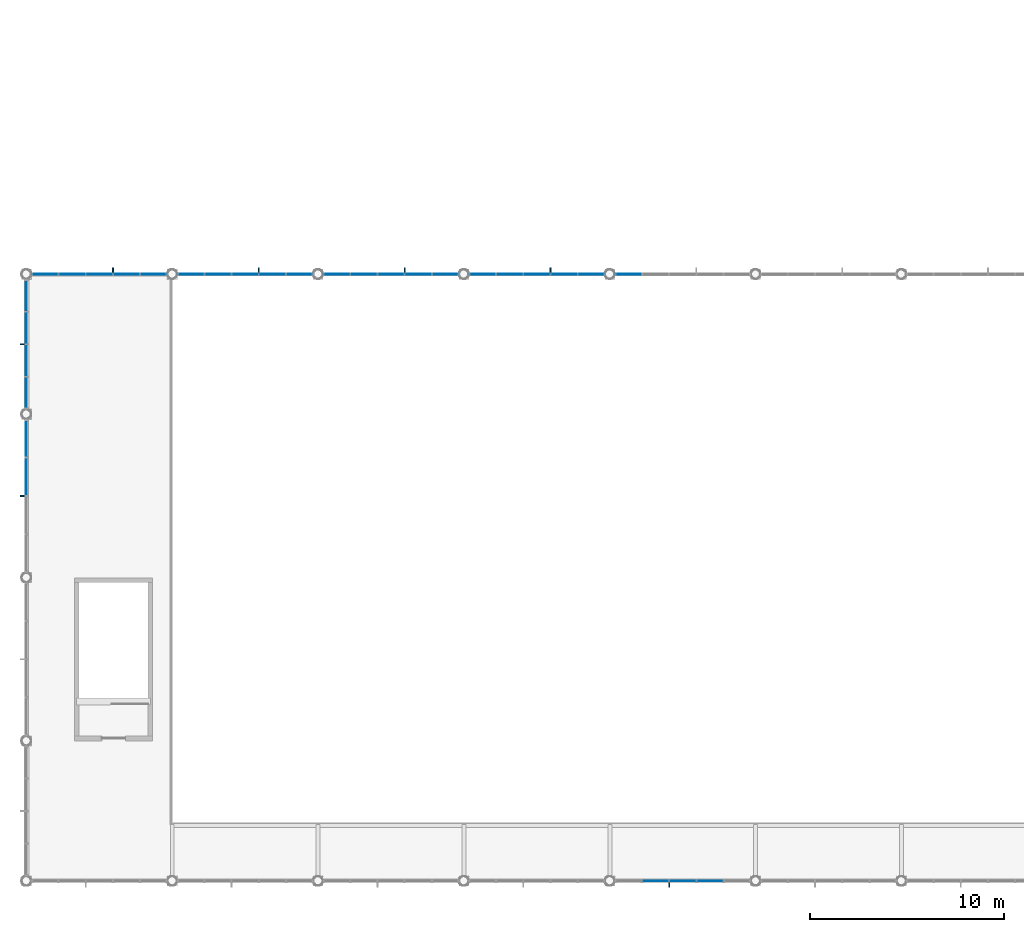
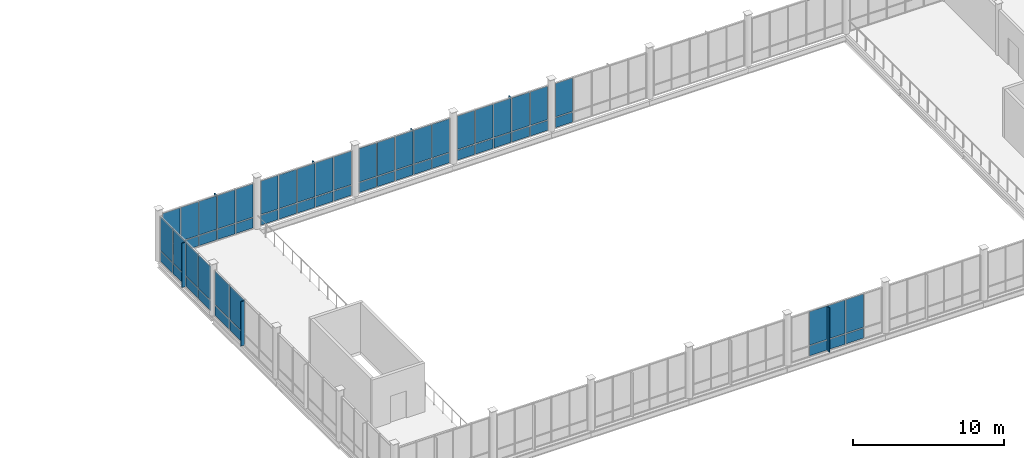
# One storey, part 41 of 75: 67 plates, 8 elements without a shape of their own.
"""IFC4 building model written with IfcOpenShell, lengths in metres."""

from ifc_helpers import new_model, si_unit, direction, frame, origin, origin_2d, place, context, subcontext, project, spatial, rectangle, extrude, material, layer, layer_set, type_object, element, aggregate, save


model = new_model("IFC4")

# Units and contexts
model_context = context("Model", 3, precision=1e-05, world=origin(), true_north=direction((0.0, 1.0)))
body_context = subcontext(model_context, "Body", "Model", "MODEL_VIEW")
ifc_project = project(units=[si_unit("LENGTHUNIT", "METRE"), si_unit("AREAUNIT", "SQUARE_METRE"), si_unit("VOLUMEUNIT", "CUBIC_METRE"), si_unit("PLANEANGLEUNIT", "RADIAN"), si_unit("MASSUNIT", "GRAM", prefix="KILO")], contexts=[model_context])

# Site, building, storey
site_placement = place(None, origin())
site = spatial("IfcSite", under=ifc_project, at=site_placement, CompositionType="ELEMENT")
building_placement = place(site_placement, origin())
building = spatial("IfcBuilding", under=site, at=building_placement, Name="Yukiwa Park Conservatory and Herbarium", CompositionType="ELEMENT")
storey_placement = place(building_placement, frame((0.0, 0.0, 4.800048828125)))
storey = spatial("IfcBuildingStorey", under=building, at=storey_placement, Name="L01", CompositionType="ELEMENT", Elevation=4.800048828125)

# Curtain wall, plates
ifc_material_1 = material(Name="Triple Low-E Insulated Glass", Category="glass")
ifc_layer_1 = layer(ifc_material_1, 0.152099609375)
ifc_layer_set_1 = layer_set([ifc_layer_1], Name="Triple Low-E Insulated Glass")
curtain_wall_type_1 = type_object("IfcCurtainWallType", Name="CW-CONSERVATORY-1500", PredefinedType="NOTDEFINED", material=ifc_layer_set_1)
curtain_wall_1_placement = place(storey_placement, origin())
curtain_wall_1 = element("IfcCurtainWall", 1, at=curtain_wall_1_placement, inside=storey, type_object=curtain_wall_type_1, Name="L01 unitised curtain wall CW-L01-030", PredefinedType="NOTDEFINED")
ifc_material_2 = material(Name="Triple Low-E Insulated Glass", Category="glass")
ifc_layer_2 = layer(ifc_material_2, 0.035888671875)
ifc_layer_set_2 = layer_set([ifc_layer_2], Name="Triple Low-E Insulated Glass")
plate_type_1 = type_object("IfcPlateType", Name="PL-CW-GLZ-36", PredefinedType="CURTAIN_PANEL", material=ifc_layer_set_2)
plate_1_placement = place(storey_placement, frame((32.3515625, 0.0, 0.93505859375), z_axis=(0.0, 0.0, 1.0), x_axis=(1.0, 0.0, 0.0)))
plate_1 = element("IfcPlate", 2, at=plate_1_placement, type_object=plate_type_1, Name="CW-L01-030 vision panel 2.2", PredefinedType="CURTAIN_PANEL", context=body_context, shape_type="SweptSolid", body=[
    extrude(rectangle(XDim=1.328369140625, YDim=0.035888671875, at=origin_2d()), origin(), (0.0, 0.0, 1.0), 2.695068359375),
])
plate_2_placement = place(storey_placement, frame((33.75, 0.0, 0.93505859375), z_axis=(0.0, 0.0, 1.0), x_axis=(1.0, 0.0, 0.0)))
plate_2 = element("IfcPlate", 3, at=plate_2_placement, type_object=plate_type_1, Name="CW-L01-030 vision panel 3.2", PredefinedType="CURTAIN_PANEL", context=body_context, shape_type="SweptSolid", body=[
    extrude(rectangle(XDim=1.328369140625, YDim=0.035888671875, at=origin_2d()), origin(), (0.0, 0.0, 1.0), 2.695068359375),
])
plate_3_placement = place(storey_placement, frame((35.1484375, 0.0, 0.93505859375), z_axis=(0.0, 0.0, 1.0), x_axis=(1.0, 0.0, 0.0)))
plate_3 = element("IfcPlate", 4, at=plate_3_placement, type_object=plate_type_1, Name="CW-L01-030 vision panel 4.2", PredefinedType="CURTAIN_PANEL", context=body_context, shape_type="SweptSolid", body=[
    extrude(rectangle(XDim=1.328369140625, YDim=0.035888671875, at=origin_2d()), origin(), (0.0, 0.0, 1.0), 2.695068359375),
])

# Curtain wall, plate
curtain_wall_2_placement = place(storey_placement, origin())
curtain_wall_2 = element("IfcCurtainWall", 5, at=curtain_wall_2_placement, inside=storey, type_object=curtain_wall_type_1, Name="L01 unitised curtain wall CW-L01-053", PredefinedType="NOTDEFINED")
plate_4_placement = place(storey_placement, frame((30.953125, 31.199951171875, 0.93505859375), z_axis=(0.0, 0.0, 1.0), x_axis=(-1.0, 0.0, 0.0)))
plate_4 = element("IfcPlate", 6, at=plate_4_placement, type_object=plate_type_1, Name="CW-L01-053 vision panel 5.2", PredefinedType="CURTAIN_PANEL", context=body_context, shape_type="SweptSolid", body=[
    extrude(rectangle(XDim=1.328369140625, YDim=0.035888671875, at=origin_2d()), origin(), (0.0, 0.0, 1.0), 2.695068359375),
])

# Curtain wall, plates
curtain_wall_3_placement = place(storey_placement, origin())
curtain_wall_3 = element("IfcCurtainWall", 7, at=curtain_wall_3_placement, inside=storey, type_object=curtain_wall_type_1, Name="L01 unitised curtain wall CW-L01-054", PredefinedType="NOTDEFINED")
plate_5_placement = place(storey_placement, frame((29.046875, 31.199951171875, 0.93505859375), z_axis=(0.0, 0.0, 1.0), x_axis=(-1.0, 0.0, 0.0)))
plate_5 = element("IfcPlate", 8, at=plate_5_placement, type_object=plate_type_1, Name="CW-L01-054 vision panel 1.2", PredefinedType="CURTAIN_PANEL", context=body_context, shape_type="SweptSolid", body=[
    extrude(rectangle(XDim=1.328369140625, YDim=0.035888671875, at=origin_2d()), origin(), (0.0, 0.0, 1.0), 2.695068359375),
])
plate_6_placement = place(storey_placement, frame((27.6484375, 31.199951171875, 0.93505859375), z_axis=(0.0, 0.0, 1.0), x_axis=(-1.0, 0.0, 0.0)))
plate_6 = element("IfcPlate", 9, at=plate_6_placement, type_object=plate_type_1, Name="CW-L01-054 vision panel 2.2", PredefinedType="CURTAIN_PANEL", context=body_context, shape_type="SweptSolid", body=[
    extrude(rectangle(XDim=1.328369140625, YDim=0.035888671875, at=origin_2d()), origin(), (0.0, 0.0, 1.0), 2.695068359375),
])
plate_7_placement = place(storey_placement, frame((26.25, 31.199951171875, 0.93505859375), z_axis=(0.0, 0.0, 1.0), x_axis=(-1.0, 0.0, 0.0)))
plate_7 = element("IfcPlate", 10, at=plate_7_placement, type_object=plate_type_1, Name="CW-L01-054 vision panel 3.2", PredefinedType="CURTAIN_PANEL", context=body_context, shape_type="SweptSolid", body=[
    extrude(rectangle(XDim=1.328369140625, YDim=0.035888671875, at=origin_2d()), origin(), (0.0, 0.0, 1.0), 2.695068359375),
])
plate_8_placement = place(storey_placement, frame((24.8515625, 31.199951171875, 0.93505859375), z_axis=(0.0, 0.0, 1.0), x_axis=(-1.0, 0.0, 0.0)))
plate_8 = element("IfcPlate", 11, at=plate_8_placement, type_object=plate_type_1, Name="CW-L01-054 vision panel 4.2", PredefinedType="CURTAIN_PANEL", context=body_context, shape_type="SweptSolid", body=[
    extrude(rectangle(XDim=1.328369140625, YDim=0.035888671875, at=origin_2d()), origin(), (0.0, 0.0, 1.0), 2.695068359375),
])
plate_9_placement = place(storey_placement, frame((23.453125, 31.199951171875, 0.93505859375), z_axis=(0.0, 0.0, 1.0), x_axis=(-1.0, 0.0, 0.0)))
plate_9 = element("IfcPlate", 12, at=plate_9_placement, type_object=plate_type_1, Name="CW-L01-054 vision panel 5.2", PredefinedType="CURTAIN_PANEL", context=body_context, shape_type="SweptSolid", body=[
    extrude(rectangle(XDim=1.328369140625, YDim=0.035888671875, at=origin_2d()), origin(), (0.0, 0.0, 1.0), 2.695068359375),
])

curtain_wall_4_placement = place(storey_placement, origin())
curtain_wall_4 = element("IfcCurtainWall", 13, at=curtain_wall_4_placement, inside=storey, type_object=curtain_wall_type_1, Name="L01 unitised curtain wall CW-L01-055", PredefinedType="NOTDEFINED")
plate_10_placement = place(storey_placement, frame((21.546875, 31.199951171875, 0.93505859375), z_axis=(0.0, 0.0, 1.0), x_axis=(-1.0, 0.0, 0.0)))
plate_10 = element("IfcPlate", 14, at=plate_10_placement, type_object=plate_type_1, Name="CW-L01-055 vision panel 1.2", PredefinedType="CURTAIN_PANEL", context=body_context, shape_type="SweptSolid", body=[
    extrude(rectangle(XDim=1.328369140625, YDim=0.035888671875, at=origin_2d()), origin(), (0.0, 0.0, 1.0), 2.695068359375),
])
plate_11_placement = place(storey_placement, frame((20.1484375, 31.199951171875, 0.93505859375), z_axis=(0.0, 0.0, 1.0), x_axis=(-1.0, 0.0, 0.0)))
plate_11 = element("IfcPlate", 15, at=plate_11_placement, type_object=plate_type_1, Name="CW-L01-055 vision panel 2.2", PredefinedType="CURTAIN_PANEL", context=body_context, shape_type="SweptSolid", body=[
    extrude(rectangle(XDim=1.328369140625, YDim=0.035888671875, at=origin_2d()), origin(), (0.0, 0.0, 1.0), 2.695068359375),
])
plate_12_placement = place(storey_placement, frame((18.75, 31.199951171875, 0.93505859375), z_axis=(0.0, 0.0, 1.0), x_axis=(-1.0, 0.0, 0.0)))
plate_12 = element("IfcPlate", 16, at=plate_12_placement, type_object=plate_type_1, Name="CW-L01-055 vision panel 3.2", PredefinedType="CURTAIN_PANEL", context=body_context, shape_type="SweptSolid", body=[
    extrude(rectangle(XDim=1.328369140625, YDim=0.035888671875, at=origin_2d()), origin(), (0.0, 0.0, 1.0), 2.695068359375),
])
plate_13_placement = place(storey_placement, frame((17.3515625, 31.199951171875, 0.93505859375), z_axis=(0.0, 0.0, 1.0), x_axis=(-1.0, 0.0, 0.0)))
plate_13 = element("IfcPlate", 17, at=plate_13_placement, type_object=plate_type_1, Name="CW-L01-055 vision panel 4.2", PredefinedType="CURTAIN_PANEL", context=body_context, shape_type="SweptSolid", body=[
    extrude(rectangle(XDim=1.328369140625, YDim=0.035888671875, at=origin_2d()), origin(), (0.0, 0.0, 1.0), 2.695068359375),
])
plate_14_placement = place(storey_placement, frame((15.953125, 31.199951171875, 0.93505859375), z_axis=(0.0, 0.0, 1.0), x_axis=(-1.0, 0.0, 0.0)))
plate_14 = element("IfcPlate", 18, at=plate_14_placement, type_object=plate_type_1, Name="CW-L01-055 vision panel 5.2", PredefinedType="CURTAIN_PANEL", context=body_context, shape_type="SweptSolid", body=[
    extrude(rectangle(XDim=1.328369140625, YDim=0.035888671875, at=origin_2d()), origin(), (0.0, 0.0, 1.0), 2.695068359375),
])

curtain_wall_5_placement = place(storey_placement, origin())
curtain_wall_5 = element("IfcCurtainWall", 19, at=curtain_wall_5_placement, inside=storey, type_object=curtain_wall_type_1, Name="L01 unitised curtain wall CW-L01-056", PredefinedType="NOTDEFINED")
plate_15_placement = place(storey_placement, frame((14.046875, 31.199951171875, 0.93505859375), z_axis=(0.0, 0.0, 1.0), x_axis=(-1.0, 0.0, 0.0)))
plate_15 = element("IfcPlate", 20, at=plate_15_placement, type_object=plate_type_1, Name="CW-L01-056 vision panel 1.2", PredefinedType="CURTAIN_PANEL", context=body_context, shape_type="SweptSolid", body=[
    extrude(rectangle(XDim=1.328369140625, YDim=0.035888671875, at=origin_2d()), origin(), (0.0, 0.0, 1.0), 2.695068359375),
])
plate_16_placement = place(storey_placement, frame((12.6484375, 31.199951171875, 0.93505859375), z_axis=(0.0, 0.0, 1.0), x_axis=(-1.0, 0.0, 0.0)))
plate_16 = element("IfcPlate", 21, at=plate_16_placement, type_object=plate_type_1, Name="CW-L01-056 vision panel 2.2", PredefinedType="CURTAIN_PANEL", context=body_context, shape_type="SweptSolid", body=[
    extrude(rectangle(XDim=1.328369140625, YDim=0.035888671875, at=origin_2d()), origin(), (0.0, 0.0, 1.0), 2.695068359375),
])
plate_17_placement = place(storey_placement, frame((11.25, 31.199951171875, 0.93505859375), z_axis=(0.0, 0.0, 1.0), x_axis=(-1.0, 0.0, 0.0)))
plate_17 = element("IfcPlate", 22, at=plate_17_placement, type_object=plate_type_1, Name="CW-L01-056 vision panel 3.2", PredefinedType="CURTAIN_PANEL", context=body_context, shape_type="SweptSolid", body=[
    extrude(rectangle(XDim=1.328369140625, YDim=0.035888671875, at=origin_2d()), origin(), (0.0, 0.0, 1.0), 2.695068359375),
])
plate_18_placement = place(storey_placement, frame((9.8515625, 31.199951171875, 0.93505859375), z_axis=(0.0, 0.0, 1.0), x_axis=(-1.0, 0.0, 0.0)))
plate_18 = element("IfcPlate", 23, at=plate_18_placement, type_object=plate_type_1, Name="CW-L01-056 vision panel 4.2", PredefinedType="CURTAIN_PANEL", context=body_context, shape_type="SweptSolid", body=[
    extrude(rectangle(XDim=1.328369140625, YDim=0.035888671875, at=origin_2d()), origin(), (0.0, 0.0, 1.0), 2.695068359375),
])
plate_19_placement = place(storey_placement, frame((8.453125, 31.199951171875, 0.93505859375), z_axis=(0.0, 0.0, 1.0), x_axis=(-1.0, 0.0, 0.0)))
plate_19 = element("IfcPlate", 24, at=plate_19_placement, type_object=plate_type_1, Name="CW-L01-056 vision panel 5.2", PredefinedType="CURTAIN_PANEL", context=body_context, shape_type="SweptSolid", body=[
    extrude(rectangle(XDim=1.328369140625, YDim=0.035888671875, at=origin_2d()), origin(), (0.0, 0.0, 1.0), 2.695068359375),
])

curtain_wall_6_placement = place(storey_placement, origin())
curtain_wall_6 = element("IfcCurtainWall", 25, at=curtain_wall_6_placement, inside=storey, type_object=curtain_wall_type_1, Name="L01 unitised curtain wall CW-L01-057", PredefinedType="NOTDEFINED")
plate_20_placement = place(storey_placement, frame((6.546875, 31.199951171875, 0.93505859375), z_axis=(0.0, 0.0, 1.0), x_axis=(-1.0, 0.0, 0.0)))
plate_20 = element("IfcPlate", 26, at=plate_20_placement, type_object=plate_type_1, Name="CW-L01-057 vision panel 1.2", PredefinedType="CURTAIN_PANEL", context=body_context, shape_type="SweptSolid", body=[
    extrude(rectangle(XDim=1.328369140625, YDim=0.035888671875, at=origin_2d()), origin(), (0.0, 0.0, 1.0), 2.695068359375),
])
plate_21_placement = place(storey_placement, frame((5.1484375, 31.199951171875, 0.93505859375), z_axis=(0.0, 0.0, 1.0), x_axis=(-1.0, 0.0, 0.0)))
plate_21 = element("IfcPlate", 27, at=plate_21_placement, type_object=plate_type_1, Name="CW-L01-057 vision panel 2.2", PredefinedType="CURTAIN_PANEL", context=body_context, shape_type="SweptSolid", body=[
    extrude(rectangle(XDim=1.328369140625, YDim=0.035888671875, at=origin_2d()), origin(), (0.0, 0.0, 1.0), 2.695068359375),
])
plate_22_placement = place(storey_placement, frame((3.75, 31.199951171875, 0.93505859375), z_axis=(0.0, 0.0, 1.0), x_axis=(-1.0, 0.0, 0.0)))
plate_22 = element("IfcPlate", 28, at=plate_22_placement, type_object=plate_type_1, Name="CW-L01-057 vision panel 3.2", PredefinedType="CURTAIN_PANEL", context=body_context, shape_type="SweptSolid", body=[
    extrude(rectangle(XDim=1.328369140625, YDim=0.035888671875, at=origin_2d()), origin(), (0.0, 0.0, 1.0), 2.695068359375),
])
plate_23_placement = place(storey_placement, frame((2.3515625, 31.199951171875, 0.93505859375), z_axis=(0.0, 0.0, 1.0), x_axis=(-1.0, 0.0, 0.0)))
plate_23 = element("IfcPlate", 29, at=plate_23_placement, type_object=plate_type_1, Name="CW-L01-057 vision panel 4.2", PredefinedType="CURTAIN_PANEL", context=body_context, shape_type="SweptSolid", body=[
    extrude(rectangle(XDim=1.328369140625, YDim=0.035888671875, at=origin_2d()), origin(), (0.0, 0.0, 1.0), 2.695068359375),
])
plate_24_placement = place(storey_placement, frame((0.953125, 31.199951171875, 0.93505859375), z_axis=(0.0, 0.0, 1.0), x_axis=(-1.0, 0.0, 0.0)))
plate_24 = element("IfcPlate", 30, at=plate_24_placement, type_object=plate_type_1, Name="CW-L01-057 vision panel 5.2", PredefinedType="CURTAIN_PANEL", context=body_context, shape_type="SweptSolid", body=[
    extrude(rectangle(XDim=1.328369140625, YDim=0.035888671875, at=origin_2d()), origin(), (0.0, 0.0, 1.0), 2.695068359375),
])

ifc_material_3 = material(Name="Triple Low-E Insulated Glass", Category="glass")
ifc_layer_3 = layer(ifc_material_3, 0.1640625)
ifc_layer_set_3 = layer_set([ifc_layer_3], Name="Triple Low-E Insulated Glass")
curtain_wall_type_2 = type_object("IfcCurtainWallType", Name="CW-CONSERVATORY-1875", PredefinedType="NOTDEFINED", material=ifc_layer_set_3)
curtain_wall_7_placement = place(storey_placement, origin())
curtain_wall_7 = element("IfcCurtainWall", 31, at=curtain_wall_7_placement, inside=storey, type_object=curtain_wall_type_2, Name="L01 unitised curtain wall CW-L01-058", PredefinedType="NOTDEFINED")
plate_25_placement = place(storey_placement, frame((0.0, 30.109619140625, 0.93505859375), z_axis=(0.0, 0.0, 1.0), x_axis=(0.0, -1.0, 0.0)))
plate_25 = element("IfcPlate", 32, at=plate_25_placement, type_object=plate_type_1, Name="CW-L01-058 vision panel 1.2", PredefinedType="CURTAIN_PANEL", context=body_context, shape_type="SweptSolid", body=[
    extrude(rectangle(XDim=1.60302734375, YDim=0.035888671875, at=origin_2d()), origin(), (0.0, 0.0, 1.0), 2.695068359375),
])
plate_26_placement = place(storey_placement, frame((0.0, 28.4365234375, 0.93505859375), z_axis=(0.0, 0.0, 1.0), x_axis=(0.0, -1.0, 0.0)))
plate_26 = element("IfcPlate", 33, at=plate_26_placement, type_object=plate_type_1, Name="CW-L01-058 vision panel 2.2", PredefinedType="CURTAIN_PANEL", context=body_context, shape_type="SweptSolid", body=[
    extrude(rectangle(XDim=1.60302734375, YDim=0.035888671875, at=origin_2d()), origin(), (0.0, 0.0, 1.0), 2.695068359375),
])
plate_27_placement = place(storey_placement, frame((0.0, 26.763427734375, 0.93505859375), z_axis=(0.0, 0.0, 1.0), x_axis=(0.0, -1.0, 0.0)))
plate_27 = element("IfcPlate", 34, at=plate_27_placement, type_object=plate_type_1, Name="CW-L01-058 vision panel 3.2", PredefinedType="CURTAIN_PANEL", context=body_context, shape_type="SweptSolid", body=[
    extrude(rectangle(XDim=1.60302734375, YDim=0.035888671875, at=origin_2d()), origin(), (0.0, 0.0, 1.0), 2.695068359375),
])
plate_28_placement = place(storey_placement, frame((0.0, 25.090576171875, 0.93505859375), z_axis=(0.0, 0.0, 1.0), x_axis=(0.0, -1.0, 0.0)))
plate_28 = element("IfcPlate", 35, at=plate_28_placement, type_object=plate_type_1, Name="CW-L01-058 vision panel 4.2", PredefinedType="CURTAIN_PANEL", context=body_context, shape_type="SweptSolid", body=[
    extrude(rectangle(XDim=1.60302734375, YDim=0.035888671875, at=origin_2d()), origin(), (0.0, 0.0, 1.0), 2.695068359375),
])

curtain_wall_8_placement = place(storey_placement, origin())
curtain_wall_8 = element("IfcCurtainWall", 36, at=curtain_wall_8_placement, inside=storey, type_object=curtain_wall_type_2, Name="L01 unitised curtain wall CW-L01-059", PredefinedType="NOTDEFINED")
plate_29_placement = place(storey_placement, frame((0.0, 22.759521484375, 0.93505859375), z_axis=(0.0, 0.0, 1.0), x_axis=(0.0, -1.0, 0.0)))
plate_29 = element("IfcPlate", 37, at=plate_29_placement, type_object=plate_type_1, Name="CW-L01-059 vision panel 1.2", PredefinedType="CURTAIN_PANEL", context=body_context, shape_type="SweptSolid", body=[
    extrude(rectangle(XDim=1.903076171875, YDim=0.035888671875, at=origin_2d()), origin(), (0.0, 0.0, 1.0), 2.695068359375),
])
plate_30_placement = place(storey_placement, frame((0.0, 20.78662109375, 0.93505859375), z_axis=(0.0, 0.0, 1.0), x_axis=(0.0, -1.0, 0.0)))
plate_30 = element("IfcPlate", 38, at=plate_30_placement, type_object=plate_type_1, Name="CW-L01-059 vision panel 2.2", PredefinedType="CURTAIN_PANEL", context=body_context, shape_type="SweptSolid", body=[
    extrude(rectangle(XDim=1.903076171875, YDim=0.035888671875, at=origin_2d()), origin(), (0.0, 0.0, 1.0), 2.695068359375),
])

# Plate
ifc_material_4 = material(Name="Anodised Aluminium", Category="aluminium")
ifc_layer_4 = layer(ifc_material_4, 0.044921875)
ifc_layer_set_4 = layer_set([ifc_layer_4], Name="Anodised Aluminium")
plate_type_2 = type_object("IfcPlateType", Name="PL-CW-SPN-45", PredefinedType="CURTAIN_PANEL", material=ifc_layer_set_4)
plate_31_placement = place(storey_placement, frame((32.3515625, 0.0, 0.070068359375), z_axis=(0.0, 0.0, 1.0), x_axis=(1.0, 0.0, 0.0)))
plate_31 = element("IfcPlate", 39, at=plate_31_placement, type_object=plate_type_2, Name="CW-L01-030 spandrel panel 2.1", PredefinedType="CURTAIN_PANEL", context=body_context, shape_type="SweptSolid", body=[
    extrude(rectangle(XDim=1.328369140625, YDim=0.044921875, at=origin_2d()), origin(), (0.0, 0.0, 1.0), 0.794921875),
])

plate_32_placement = place(storey_placement, frame((33.75, 0.0, 0.070068359375), z_axis=(0.0, 0.0, 1.0), x_axis=(1.0, 0.0, 0.0)))
plate_32 = element("IfcPlate", 40, at=plate_32_placement, type_object=plate_type_2, Name="CW-L01-030 spandrel panel 3.1", PredefinedType="CURTAIN_PANEL", context=body_context, shape_type="SweptSolid", body=[
    extrude(rectangle(XDim=1.328369140625, YDim=0.044921875, at=origin_2d()), origin(), (0.0, 0.0, 1.0), 0.794921875),
])

plate_33_placement = place(storey_placement, frame((35.1484375, 0.0, 0.070068359375), z_axis=(0.0, 0.0, 1.0), x_axis=(1.0, 0.0, 0.0)))
plate_33 = element("IfcPlate", 41, at=plate_33_placement, type_object=plate_type_2, Name="CW-L01-030 spandrel panel 4.1", PredefinedType="CURTAIN_PANEL", context=body_context, shape_type="SweptSolid", body=[
    extrude(rectangle(XDim=1.328369140625, YDim=0.044921875, at=origin_2d()), origin(), (0.0, 0.0, 1.0), 0.794921875),
])

aggregate(curtain_wall_1, [plate_31, plate_1, plate_32, plate_2, plate_33, plate_3])

plate_34_placement = place(storey_placement, frame((30.953125, 31.199951171875, 0.070068359375), z_axis=(0.0, 0.0, 1.0), x_axis=(-1.0, 0.0, 0.0)))
plate_34 = element("IfcPlate", 42, at=plate_34_placement, type_object=plate_type_2, Name="CW-L01-053 spandrel panel 5.1", PredefinedType="CURTAIN_PANEL", context=body_context, shape_type="SweptSolid", body=[
    extrude(rectangle(XDim=1.328369140625, YDim=0.044921875, at=origin_2d()), origin(), (0.0, 0.0, 1.0), 0.794921875),
])

aggregate(curtain_wall_2, [plate_34, plate_4])

plate_35_placement = place(storey_placement, frame((29.046875, 31.199951171875, 0.070068359375), z_axis=(0.0, 0.0, 1.0), x_axis=(-1.0, 0.0, 0.0)))
plate_35 = element("IfcPlate", 43, at=plate_35_placement, type_object=plate_type_2, Name="CW-L01-054 spandrel panel 1.1", PredefinedType="CURTAIN_PANEL", context=body_context, shape_type="SweptSolid", body=[
    extrude(rectangle(XDim=1.328369140625, YDim=0.044921875, at=origin_2d()), origin(), (0.0, 0.0, 1.0), 0.794921875),
])

plate_36_placement = place(storey_placement, frame((27.6484375, 31.199951171875, 0.070068359375), z_axis=(0.0, 0.0, 1.0), x_axis=(-1.0, 0.0, 0.0)))
plate_36 = element("IfcPlate", 44, at=plate_36_placement, type_object=plate_type_2, Name="CW-L01-054 spandrel panel 2.1", PredefinedType="CURTAIN_PANEL", context=body_context, shape_type="SweptSolid", body=[
    extrude(rectangle(XDim=1.328369140625, YDim=0.044921875, at=origin_2d()), origin(), (0.0, 0.0, 1.0), 0.794921875),
])

plate_37_placement = place(storey_placement, frame((26.25, 31.199951171875, 0.070068359375), z_axis=(0.0, 0.0, 1.0), x_axis=(-1.0, 0.0, 0.0)))
plate_37 = element("IfcPlate", 45, at=plate_37_placement, type_object=plate_type_2, Name="CW-L01-054 spandrel panel 3.1", PredefinedType="CURTAIN_PANEL", context=body_context, shape_type="SweptSolid", body=[
    extrude(rectangle(XDim=1.328369140625, YDim=0.044921875, at=origin_2d()), origin(), (0.0, 0.0, 1.0), 0.794921875),
])

plate_38_placement = place(storey_placement, frame((24.8515625, 31.199951171875, 0.070068359375), z_axis=(0.0, 0.0, 1.0), x_axis=(-1.0, 0.0, 0.0)))
plate_38 = element("IfcPlate", 46, at=plate_38_placement, type_object=plate_type_2, Name="CW-L01-054 spandrel panel 4.1", PredefinedType="CURTAIN_PANEL", context=body_context, shape_type="SweptSolid", body=[
    extrude(rectangle(XDim=1.328369140625, YDim=0.044921875, at=origin_2d()), origin(), (0.0, 0.0, 1.0), 0.794921875),
])

plate_39_placement = place(storey_placement, frame((23.453125, 31.199951171875, 0.070068359375), z_axis=(0.0, 0.0, 1.0), x_axis=(-1.0, 0.0, 0.0)))
plate_39 = element("IfcPlate", 47, at=plate_39_placement, type_object=plate_type_2, Name="CW-L01-054 spandrel panel 5.1", PredefinedType="CURTAIN_PANEL", context=body_context, shape_type="SweptSolid", body=[
    extrude(rectangle(XDim=1.328369140625, YDim=0.044921875, at=origin_2d()), origin(), (0.0, 0.0, 1.0), 0.794921875),
])

aggregate(curtain_wall_3, [plate_35, plate_5, plate_36, plate_6, plate_37, plate_7, plate_38, plate_8, plate_39, plate_9])

plate_40_placement = place(storey_placement, frame((21.546875, 31.199951171875, 0.070068359375), z_axis=(0.0, 0.0, 1.0), x_axis=(-1.0, 0.0, 0.0)))
plate_40 = element("IfcPlate", 48, at=plate_40_placement, type_object=plate_type_2, Name="CW-L01-055 spandrel panel 1.1", PredefinedType="CURTAIN_PANEL", context=body_context, shape_type="SweptSolid", body=[
    extrude(rectangle(XDim=1.328369140625, YDim=0.044921875, at=origin_2d()), origin(), (0.0, 0.0, 1.0), 0.794921875),
])

plate_41_placement = place(storey_placement, frame((20.1484375, 31.199951171875, 0.070068359375), z_axis=(0.0, 0.0, 1.0), x_axis=(-1.0, 0.0, 0.0)))
plate_41 = element("IfcPlate", 49, at=plate_41_placement, type_object=plate_type_2, Name="CW-L01-055 spandrel panel 2.1", PredefinedType="CURTAIN_PANEL", context=body_context, shape_type="SweptSolid", body=[
    extrude(rectangle(XDim=1.328369140625, YDim=0.044921875, at=origin_2d()), origin(), (0.0, 0.0, 1.0), 0.794921875),
])

plate_42_placement = place(storey_placement, frame((18.75, 31.199951171875, 0.070068359375), z_axis=(0.0, 0.0, 1.0), x_axis=(-1.0, 0.0, 0.0)))
plate_42 = element("IfcPlate", 50, at=plate_42_placement, type_object=plate_type_2, Name="CW-L01-055 spandrel panel 3.1", PredefinedType="CURTAIN_PANEL", context=body_context, shape_type="SweptSolid", body=[
    extrude(rectangle(XDim=1.328369140625, YDim=0.044921875, at=origin_2d()), origin(), (0.0, 0.0, 1.0), 0.794921875),
])

plate_43_placement = place(storey_placement, frame((17.3515625, 31.199951171875, 0.070068359375), z_axis=(0.0, 0.0, 1.0), x_axis=(-1.0, 0.0, 0.0)))
plate_43 = element("IfcPlate", 51, at=plate_43_placement, type_object=plate_type_2, Name="CW-L01-055 spandrel panel 4.1", PredefinedType="CURTAIN_PANEL", context=body_context, shape_type="SweptSolid", body=[
    extrude(rectangle(XDim=1.328369140625, YDim=0.044921875, at=origin_2d()), origin(), (0.0, 0.0, 1.0), 0.794921875),
])

plate_44_placement = place(storey_placement, frame((15.953125, 31.199951171875, 0.070068359375), z_axis=(0.0, 0.0, 1.0), x_axis=(-1.0, 0.0, 0.0)))
plate_44 = element("IfcPlate", 52, at=plate_44_placement, type_object=plate_type_2, Name="CW-L01-055 spandrel panel 5.1", PredefinedType="CURTAIN_PANEL", context=body_context, shape_type="SweptSolid", body=[
    extrude(rectangle(XDim=1.328369140625, YDim=0.044921875, at=origin_2d()), origin(), (0.0, 0.0, 1.0), 0.794921875),
])

aggregate(curtain_wall_4, [plate_40, plate_10, plate_41, plate_11, plate_42, plate_12, plate_43, plate_13, plate_44, plate_14])

plate_45_placement = place(storey_placement, frame((14.046875, 31.199951171875, 0.070068359375), z_axis=(0.0, 0.0, 1.0), x_axis=(-1.0, 0.0, 0.0)))
plate_45 = element("IfcPlate", 53, at=plate_45_placement, type_object=plate_type_2, Name="CW-L01-056 spandrel panel 1.1", PredefinedType="CURTAIN_PANEL", context=body_context, shape_type="SweptSolid", body=[
    extrude(rectangle(XDim=1.328369140625, YDim=0.044921875, at=origin_2d()), origin(), (0.0, 0.0, 1.0), 0.794921875),
])

plate_46_placement = place(storey_placement, frame((12.6484375, 31.199951171875, 0.070068359375), z_axis=(0.0, 0.0, 1.0), x_axis=(-1.0, 0.0, 0.0)))
plate_46 = element("IfcPlate", 54, at=plate_46_placement, type_object=plate_type_2, Name="CW-L01-056 spandrel panel 2.1", PredefinedType="CURTAIN_PANEL", context=body_context, shape_type="SweptSolid", body=[
    extrude(rectangle(XDim=1.328369140625, YDim=0.044921875, at=origin_2d()), origin(), (0.0, 0.0, 1.0), 0.794921875),
])

plate_47_placement = place(storey_placement, frame((11.25, 31.199951171875, 0.070068359375), z_axis=(0.0, 0.0, 1.0), x_axis=(-1.0, 0.0, 0.0)))
plate_47 = element("IfcPlate", 55, at=plate_47_placement, type_object=plate_type_2, Name="CW-L01-056 spandrel panel 3.1", PredefinedType="CURTAIN_PANEL", context=body_context, shape_type="SweptSolid", body=[
    extrude(rectangle(XDim=1.328369140625, YDim=0.044921875, at=origin_2d()), origin(), (0.0, 0.0, 1.0), 0.794921875),
])

plate_48_placement = place(storey_placement, frame((9.8515625, 31.199951171875, 0.070068359375), z_axis=(0.0, 0.0, 1.0), x_axis=(-1.0, 0.0, 0.0)))
plate_48 = element("IfcPlate", 56, at=plate_48_placement, type_object=plate_type_2, Name="CW-L01-056 spandrel panel 4.1", PredefinedType="CURTAIN_PANEL", context=body_context, shape_type="SweptSolid", body=[
    extrude(rectangle(XDim=1.328369140625, YDim=0.044921875, at=origin_2d()), origin(), (0.0, 0.0, 1.0), 0.794921875),
])

plate_49_placement = place(storey_placement, frame((8.453125, 31.199951171875, 0.070068359375), z_axis=(0.0, 0.0, 1.0), x_axis=(-1.0, 0.0, 0.0)))
plate_49 = element("IfcPlate", 57, at=plate_49_placement, type_object=plate_type_2, Name="CW-L01-056 spandrel panel 5.1", PredefinedType="CURTAIN_PANEL", context=body_context, shape_type="SweptSolid", body=[
    extrude(rectangle(XDim=1.328369140625, YDim=0.044921875, at=origin_2d()), origin(), (0.0, 0.0, 1.0), 0.794921875),
])

aggregate(curtain_wall_5, [plate_45, plate_15, plate_46, plate_16, plate_47, plate_17, plate_48, plate_18, plate_49, plate_19])

plate_50_placement = place(storey_placement, frame((6.546875, 31.199951171875, 0.070068359375), z_axis=(0.0, 0.0, 1.0), x_axis=(-1.0, 0.0, 0.0)))
plate_50 = element("IfcPlate", 58, at=plate_50_placement, type_object=plate_type_2, Name="CW-L01-057 spandrel panel 1.1", PredefinedType="CURTAIN_PANEL", context=body_context, shape_type="SweptSolid", body=[
    extrude(rectangle(XDim=1.328369140625, YDim=0.044921875, at=origin_2d()), origin(), (0.0, 0.0, 1.0), 0.794921875),
])

plate_51_placement = place(storey_placement, frame((5.1484375, 31.199951171875, 0.070068359375), z_axis=(0.0, 0.0, 1.0), x_axis=(-1.0, 0.0, 0.0)))
plate_51 = element("IfcPlate", 59, at=plate_51_placement, type_object=plate_type_2, Name="CW-L01-057 spandrel panel 2.1", PredefinedType="CURTAIN_PANEL", context=body_context, shape_type="SweptSolid", body=[
    extrude(rectangle(XDim=1.328369140625, YDim=0.044921875, at=origin_2d()), origin(), (0.0, 0.0, 1.0), 0.794921875),
])

plate_52_placement = place(storey_placement, frame((3.75, 31.199951171875, 0.070068359375), z_axis=(0.0, 0.0, 1.0), x_axis=(-1.0, 0.0, 0.0)))
plate_52 = element("IfcPlate", 60, at=plate_52_placement, type_object=plate_type_2, Name="CW-L01-057 spandrel panel 3.1", PredefinedType="CURTAIN_PANEL", context=body_context, shape_type="SweptSolid", body=[
    extrude(rectangle(XDim=1.328369140625, YDim=0.044921875, at=origin_2d()), origin(), (0.0, 0.0, 1.0), 0.794921875),
])

plate_53_placement = place(storey_placement, frame((2.3515625, 31.199951171875, 0.070068359375), z_axis=(0.0, 0.0, 1.0), x_axis=(-1.0, 0.0, 0.0)))
plate_53 = element("IfcPlate", 61, at=plate_53_placement, type_object=plate_type_2, Name="CW-L01-057 spandrel panel 4.1", PredefinedType="CURTAIN_PANEL", context=body_context, shape_type="SweptSolid", body=[
    extrude(rectangle(XDim=1.328369140625, YDim=0.044921875, at=origin_2d()), origin(), (0.0, 0.0, 1.0), 0.794921875),
])

plate_54_placement = place(storey_placement, frame((0.953125, 31.199951171875, 0.070068359375), z_axis=(0.0, 0.0, 1.0), x_axis=(-1.0, 0.0, 0.0)))
plate_54 = element("IfcPlate", 62, at=plate_54_placement, type_object=plate_type_2, Name="CW-L01-057 spandrel panel 5.1", PredefinedType="CURTAIN_PANEL", context=body_context, shape_type="SweptSolid", body=[
    extrude(rectangle(XDim=1.328369140625, YDim=0.044921875, at=origin_2d()), origin(), (0.0, 0.0, 1.0), 0.794921875),
])

aggregate(curtain_wall_6, [plate_50, plate_20, plate_51, plate_21, plate_52, plate_22, plate_53, plate_23, plate_54, plate_24])

plate_55_placement = place(storey_placement, frame((0.0, 30.109619140625, 0.070068359375), z_axis=(0.0, 0.0, 1.0), x_axis=(0.0, -1.0, 0.0)))
plate_55 = element("IfcPlate", 63, at=plate_55_placement, type_object=plate_type_2, Name="CW-L01-058 spandrel panel 1.1", PredefinedType="CURTAIN_PANEL", context=body_context, shape_type="SweptSolid", body=[
    extrude(rectangle(XDim=1.60302734375, YDim=0.044921875, at=origin_2d()), origin(), (0.0, 0.0, 1.0), 0.794921875),
])

plate_56_placement = place(storey_placement, frame((0.0, 28.4365234375, 0.070068359375), z_axis=(0.0, 0.0, 1.0), x_axis=(0.0, -1.0, 0.0)))
plate_56 = element("IfcPlate", 64, at=plate_56_placement, type_object=plate_type_2, Name="CW-L01-058 spandrel panel 2.1", PredefinedType="CURTAIN_PANEL", context=body_context, shape_type="SweptSolid", body=[
    extrude(rectangle(XDim=1.60302734375, YDim=0.044921875, at=origin_2d()), origin(), (0.0, 0.0, 1.0), 0.794921875),
])

plate_57_placement = place(storey_placement, frame((0.0, 26.763427734375, 0.070068359375), z_axis=(0.0, 0.0, 1.0), x_axis=(0.0, -1.0, 0.0)))
plate_57 = element("IfcPlate", 65, at=plate_57_placement, type_object=plate_type_2, Name="CW-L01-058 spandrel panel 3.1", PredefinedType="CURTAIN_PANEL", context=body_context, shape_type="SweptSolid", body=[
    extrude(rectangle(XDim=1.60302734375, YDim=0.044921875, at=origin_2d()), origin(), (0.0, 0.0, 1.0), 0.794921875),
])

plate_58_placement = place(storey_placement, frame((0.0, 25.090576171875, 0.070068359375), z_axis=(0.0, 0.0, 1.0), x_axis=(0.0, -1.0, 0.0)))
plate_58 = element("IfcPlate", 66, at=plate_58_placement, type_object=plate_type_2, Name="CW-L01-058 spandrel panel 4.1", PredefinedType="CURTAIN_PANEL", context=body_context, shape_type="SweptSolid", body=[
    extrude(rectangle(XDim=1.60302734375, YDim=0.044921875, at=origin_2d()), origin(), (0.0, 0.0, 1.0), 0.794921875),
])

aggregate(curtain_wall_7, [plate_55, plate_25, plate_56, plate_26, plate_57, plate_27, plate_58, plate_28])

plate_59_placement = place(storey_placement, frame((0.0, 22.759521484375, 0.070068359375), z_axis=(0.0, 0.0, 1.0), x_axis=(0.0, -1.0, 0.0)))
plate_59 = element("IfcPlate", 67, at=plate_59_placement, type_object=plate_type_2, Name="CW-L01-059 spandrel panel 1.1", PredefinedType="CURTAIN_PANEL", context=body_context, shape_type="SweptSolid", body=[
    extrude(rectangle(XDim=1.903076171875, YDim=0.044921875, at=origin_2d()), origin(), (0.0, 0.0, 1.0), 0.794921875),
])

plate_60_placement = place(storey_placement, frame((0.0, 20.78662109375, 0.070068359375), z_axis=(0.0, 0.0, 1.0), x_axis=(0.0, -1.0, 0.0)))
plate_60 = element("IfcPlate", 68, at=plate_60_placement, type_object=plate_type_2, Name="CW-L01-059 spandrel panel 2.1", PredefinedType="CURTAIN_PANEL", context=body_context, shape_type="SweptSolid", body=[
    extrude(rectangle(XDim=1.903076171875, YDim=0.044921875, at=origin_2d()), origin(), (0.0, 0.0, 1.0), 0.794921875),
])

aggregate(curtain_wall_8, [plate_59, plate_29, plate_60, plate_30])

# Plates
ifc_material_5 = material(Name="Charred Larch Cladding", Category="wood")
ifc_layer_5 = layer(ifc_material_5, 0.06494140625)
ifc_layer_set_5 = layer_set([ifc_layer_5], Name="Charred Larch Cladding")
plate_type_3 = type_object("IfcPlateType", Name="PL-FIN-LARCH-65", PredefinedType="USERDEFINED", material=ifc_layer_set_5)
for number, where, z_axis, x_axis, name in (
    (69, (33.05078125, -0.18994140625, 0.059814453125), (0.0, 0.0, 1.0), (1.0, 0.0, 0.0), "CW-L01-030 exterior vertical shading fin"),
    (70, (26.94921875, 31.389892578125, 0.059814453125), (0.0, 0.0, 1.0), (-1.0, 0.0, 0.0), "CW-L01-054 exterior vertical shading fin"),
    (71, (19.44921875, 31.389892578125, 0.059814453125), (0.0, 0.0, 1.0), (-1.0, 0.0, 0.0), "CW-L01-055 exterior vertical shading fin"),
    (72, (11.94921875, 31.389892578125, 0.059814453125), (0.0, 0.0, 1.0), (-1.0, 0.0, 0.0), "CW-L01-056 exterior vertical shading fin"),
    (73, (4.44921875, 31.389892578125, 0.059814453125), (0.0, 0.0, 1.0), (-1.0, 0.0, 0.0), "CW-L01-057 exterior vertical shading fin"),
    (74, (-0.18994140625, 27.60009765625, 0.059814453125), (0.0, 0.0, 1.0), (0.0, -1.0, 0.0), "CW-L01-058 exterior vertical shading fin"),
    (75, (-0.18994140625, 19.800048828125, 0.059814453125), (0.0, 0.0, 1.0), (0.0, -1.0, 0.0), "CW-L01-059 exterior vertical shading fin"),
):
    element("IfcPlate", number, at=place(storey_placement, frame(where, z_axis=z_axis, x_axis=x_axis)), inside=storey, type_object=plate_type_3, Name=name, ObjectType="SHADING FIN", PredefinedType="USERDEFINED", context=body_context, shape_type="SweptSolid", body=[
        extrude(rectangle(XDim=0.06494140625, YDim=0.280029296875, at=origin_2d()), origin(), (0.0, 0.0, 1.0), 3.580078125),
    ])

save(model, "model.ifc")
